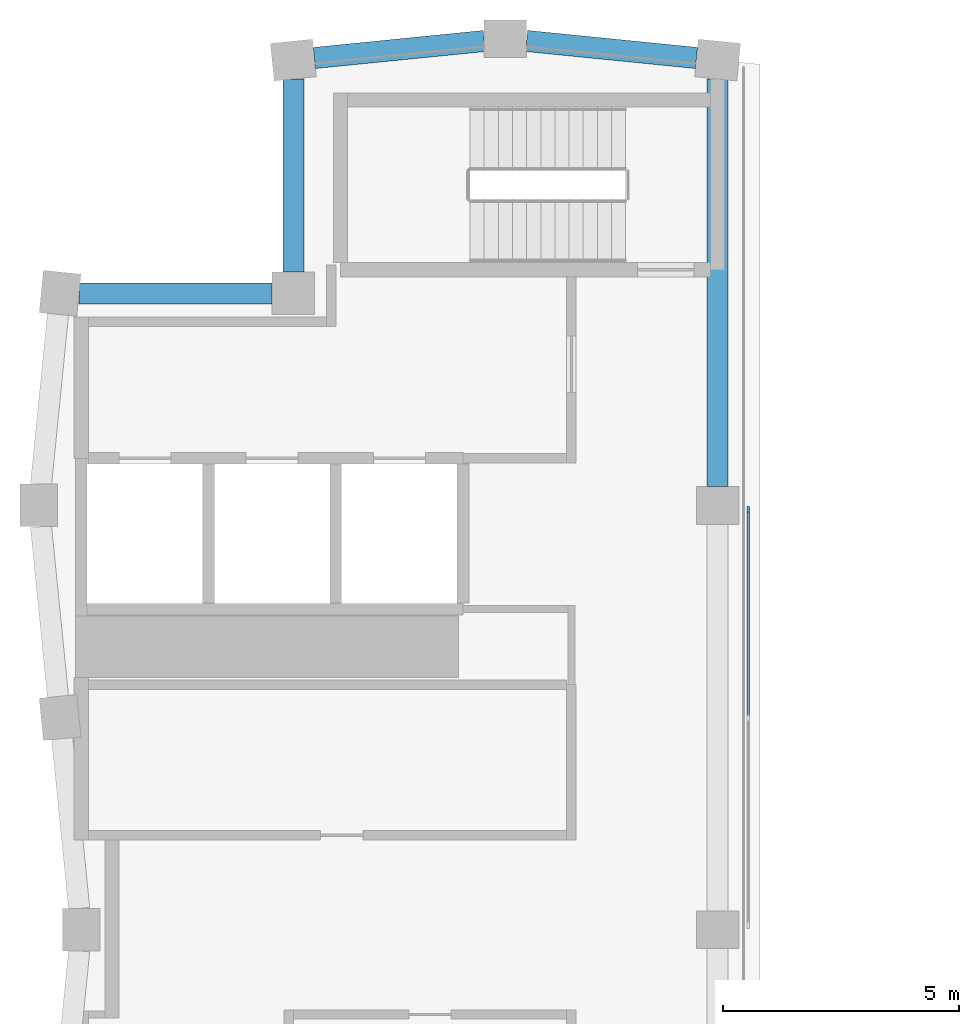
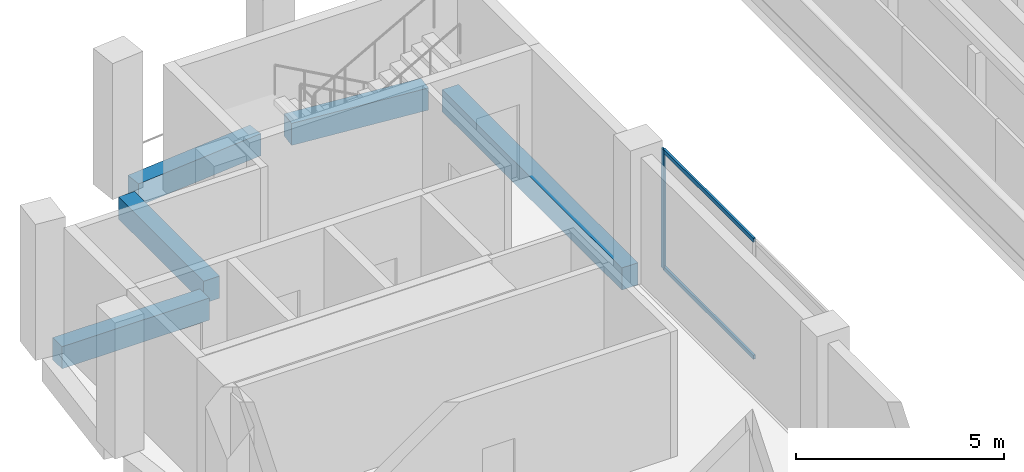
# One storey, part 3 of 8: 5 beams, 3 members, 1 element without a shape of its own.
"""IFC4 building model written with IfcOpenShell, lengths in metres."""

from ifc_helpers import new_model, si_unit, direction, frame, origin, origin_2d, place, context, subcontext, project, spatial, rectangle, extrude, material, material_profile, profile_set, type_object, element, aggregate, save


model = new_model("IFC4")

# Units and contexts
model_context = context("Model", 3, precision=1e-05, world=origin(), true_north=direction((0.0, 1.0)))
body_context = subcontext(model_context, "Body", "Model", "MODEL_VIEW")
ifc_project = project(units=[si_unit("LENGTHUNIT", "METRE"), si_unit("AREAUNIT", "SQUARE_METRE"), si_unit("VOLUMEUNIT", "CUBIC_METRE"), si_unit("PLANEANGLEUNIT", "RADIAN"), si_unit("MASSUNIT", "GRAM", prefix="KILO")], contexts=[model_context])

# Site, building, storey
site_placement = place(None, origin())
site = spatial("IfcSite", under=ifc_project, at=site_placement, CompositionType="ELEMENT")
building_placement = place(site_placement, origin())
building = spatial("IfcBuilding", under=site, at=building_placement, Name="Brondeck Convention Tower", CompositionType="ELEMENT")
storey_placement = place(building_placement, frame((0.0, 0.0, 298.800048828125)))
storey = spatial("IfcBuildingStorey", under=building, at=storey_placement, Name="L74", CompositionType="ELEMENT", Elevation=298.800048828125)

# Curtain wall, members
ifc_material_1 = material(Name="Aluminium, bronze anodised", Category="aluminium")
curtain_wall_type = type_object("IfcCurtainWallType", Name="Crown screen curtain wall", PredefinedType="NOTDEFINED", material=ifc_material_1)
curtain_wall_placement = place(storey_placement, origin())
curtain_wall = element("IfcCurtainWall", 1, at=curtain_wall_placement, inside=storey, type_object=curtain_wall_type, Name="ENV-CW4-L74-K1-SLOT-W-05", PredefinedType="NOTDEFINED")
ifc_material_profile_1 = material_profile(ifc_material_1, rectangle(XDim=0.06005859375, YDim=0.139892578125, at=origin_2d()), Name="CW4 mullion")
ifc_profile_set_1 = profile_set([ifc_material_profile_1], Name="Aluminium, bronze anodised")
member_type_1 = type_object("IfcMemberType", Name="CW4 mullion", PredefinedType="MULLION", material=ifc_profile_set_1)
member_1_placement = place(storey_placement, frame((14.14990234375, 53.909912109375, 0.0), z_axis=(0.0, 0.0, 1.0), x_axis=(1.0, 0.0, 0.0)))
member_1 = element("IfcMember", 2, at=member_1_placement, type_object=member_type_1, Name="CW4 mullion 1", PredefinedType="MULLION", context=body_context, shape_type="SweptSolid", body=[
    extrude(rectangle(XDim=0.06005859375, YDim=0.139892578125, at=origin_2d()), origin(), (0.0, 0.0, 1.0), 3.5),
])
ifc_material_profile_2 = material_profile(ifc_material_1, rectangle(XDim=0.06005859375, YDim=0.1201171875, at=origin_2d()), Name="CW4 transom")
ifc_profile_set_2 = profile_set([ifc_material_profile_2], Name="Aluminium, bronze anodised")
member_type_2 = type_object("IfcMemberType", Name="CW4 transom", PredefinedType="USERDEFINED", material=ifc_profile_set_2)
member_2_placement = place(storey_placement, frame((14.14990234375, 53.8798828125, 0.030029296875), z_axis=(0.0, -1.0, 0.0), x_axis=(1.0, 0.0, 0.0)))
member_2 = element("IfcMember", 3, at=member_2_placement, type_object=member_type_2, Name="CW4 transom 1.1", ObjectType="TRANSOM", PredefinedType="USERDEFINED", context=body_context, shape_type="SweptSolid", body=[
    extrude(rectangle(XDim=0.06005859375, YDim=0.1201171875, at=origin_2d()), origin(), (0.0, 0.0, 1.0), 4.349853515625),
])
member_3_placement = place(storey_placement, frame((14.14990234375, 53.8798828125, 3.469970703125), z_axis=(0.0, -1.0, 0.0), x_axis=(1.0, 0.0, 0.0)))
member_3 = element("IfcMember", 4, at=member_3_placement, type_object=member_type_2, Name="CW4 transom 1.2", ObjectType="TRANSOM", PredefinedType="USERDEFINED", context=body_context, shape_type="SweptSolid", body=[
    extrude(rectangle(XDim=0.06005859375, YDim=0.1201171875, at=origin_2d()), origin(), (0.0, 0.0, 1.0), 4.349853515625),
])
aggregate(curtain_wall, [member_1, member_2, member_3])

# Beams
ifc_material_2 = material(Name="Concrete C50/60", Category="concrete")
ifc_material_profile_3 = material_profile(ifc_material_2, rectangle(XDim=0.449951171875, YDim=0.64990234375, at=origin_2d()), Name="Precast spandrel 450x650 Concrete C50/60")
ifc_profile_set_3 = profile_set([ifc_material_profile_3], Name="Concrete C50/60")
beam_type = type_object("IfcBeamType", Name="Precast spandrel 450x650 Concrete C50/60", PredefinedType="SPANDREL", material=ifc_profile_set_3)
beam_placement = place(storey_placement, frame((13.5, 54.39990234375, -0.324951171875), z_axis=(0.0, 1.0, 0.0), x_axis=(-1.0, 0.0, 0.0)))
element("IfcBeam", 5, at=beam_placement, inside=storey, type_object=beam_type, Name="STR-SP-L74K1-005", PredefinedType="SPANDREL", context=body_context, shape_type="SweptSolid", body=[
    extrude(rectangle(XDim=0.449951171875, YDim=0.64990234375, at=origin_2d()), origin(), (0.0, 0.0, 1.0), 8.648193359375),
])
for number, where, z_axis, x_axis, name in (
    (6, (13.05224609375, 63.494873046875, -0.324951171875), (-0.995040528141, 0.099470334057, 0.0), (-0.099470334057, -0.995040528141, 0.0), "STR-SP-L74K1-006"),
    (7, (8.550048828125, 63.85498046875, -0.324951171875), (-0.995040528141, -0.099470334057, 0.0), (0.099470334057, -0.995040528141, 0.0), "STR-SP-L74K1-007"),
):
    element("IfcBeam", number, at=place(storey_placement, frame(where, z_axis=z_axis, x_axis=x_axis)), inside=storey, type_object=beam_type, Name=name, PredefinedType="SPANDREL", context=body_context, shape_type="SweptSolid", body=[
        extrude(rectangle(XDim=0.449951171875, YDim=0.64990234375, at=origin_2d()), origin(), (0.0, 0.0, 1.0), 3.620361328125),
    ])
for number, where, z_axis, x_axis, name in (
    (8, (4.5, 63.048095703125, -0.324951171875), (0.0, -1.0, 0.0), (1.0, 0.0, 0.0), "STR-SP-L74K1-008"),
    (9, (4.050048828125, 58.5, -0.324951171875), (-1.0, 0.0, 0.0), (0.0, -1.0, 0.0), "STR-SP-L74K1-009"),
):
    element("IfcBeam", number, at=place(storey_placement, frame(where, z_axis=z_axis, x_axis=x_axis)), inside=storey, type_object=beam_type, Name=name, PredefinedType="SPANDREL", context=body_context, shape_type="SweptSolid", body=[
        extrude(rectangle(XDim=0.449951171875, YDim=0.64990234375, at=origin_2d()), origin(), (0.0, 0.0, 1.0), 4.09814453125),
    ])

save(model, "model.ifc")
